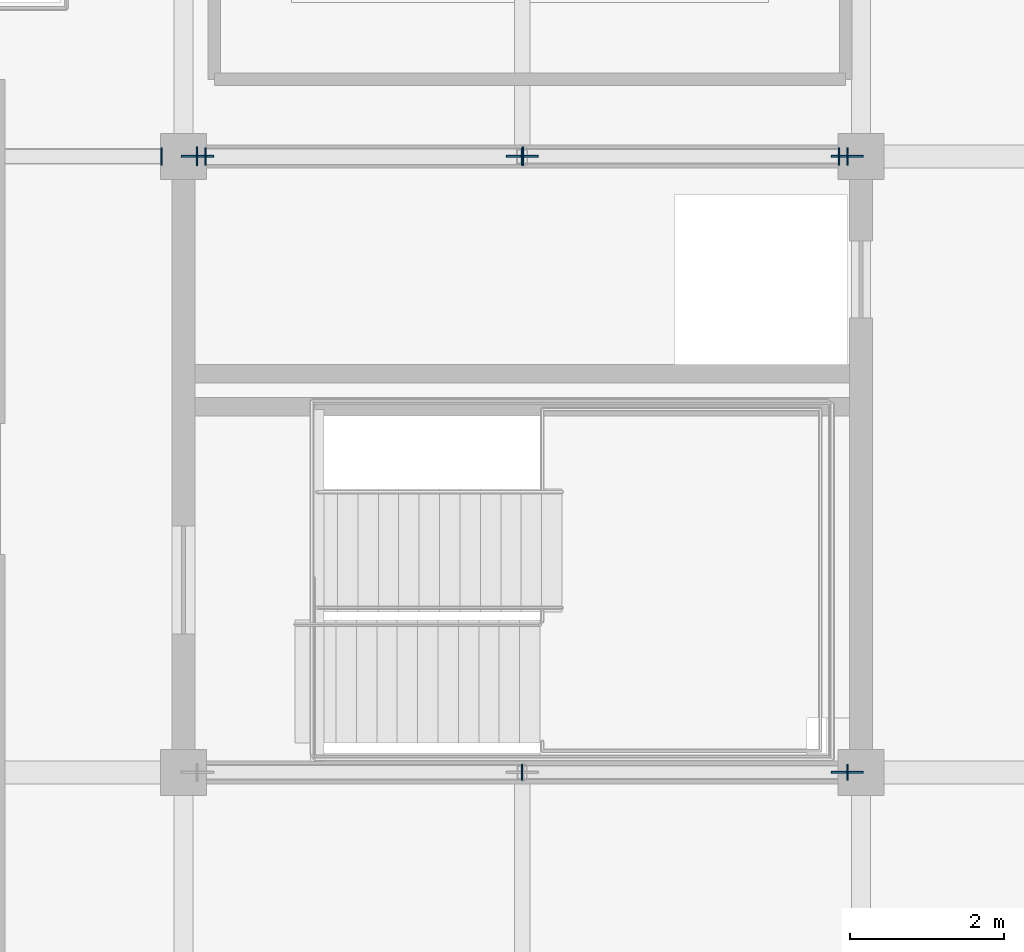
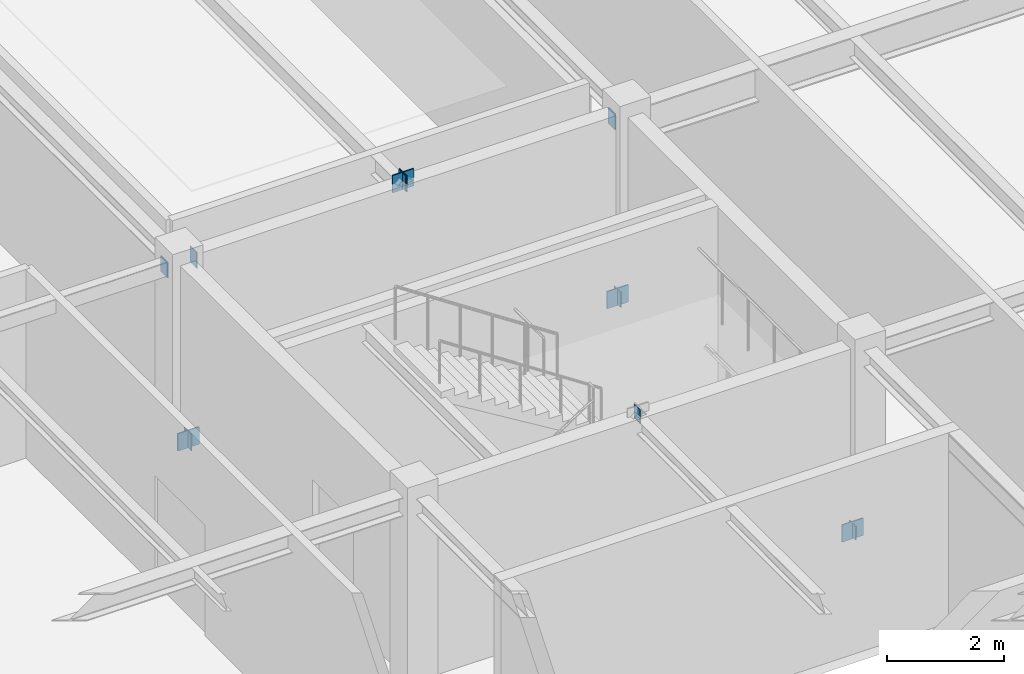
# One storey, part 61 of 88: 13 plates.
"""IFC4 building model written with IfcOpenShell, lengths in metres."""

import ifcopenshell
import ifcopenshell.guid

model = None  # the IFC model being written
_history = None  # IfcOwnerHistory: only IFC2X3 demands one
_inside = {}  # id of a spatial element -> (the spatial element, [elements in it])
_under = {}  # id of a project, library or spatial element -> (it, [spatial elements below it])
_declared = {}  # id of a project -> (the project, [libraries it declares])
_typed = {}  # id of a type object -> (the type object, [elements of that type])
_made_of = {}  # id of a material, layer set ... -> (it, [elements and type objects made of it])


def new_model(schema):
    """Start an empty IFC model of exactly this schema.

    Asked for "IFC4X3", IfcOpenShell would pick the latest addendum, in which some entities
    have other attributes; the version numbers below select the first issue.
    IFC2X3 requires an IfcOwnerHistory on every rooted entity: one is made here for all.
    """
    global model, _history
    if schema == "IFC4X3":
        model = ifcopenshell.file(schema_version=(4, 3, 0, 0))
    else:
        model = ifcopenshell.file(schema=schema)
    _inside.clear()
    _under.clear()
    _declared.clear()
    _typed.clear()
    _made_of.clear()
    _history = None
    if model.schema == "IFC2X3":
        org = make("IfcOrganization", Name="unknown")
        user = make(
            "IfcPersonAndOrganization",
            ThePerson=make("IfcPerson", FamilyName="unknown"),
            TheOrganization=org,
        )
        app = make(
            "IfcApplication",
            ApplicationDeveloper=org,
            Version="unknown",
            ApplicationFullName="unknown",
            ApplicationIdentifier="unknown",
        )
        _history = make(
            "IfcOwnerHistory",
            OwningUser=user,
            OwningApplication=app,
            ChangeAction="ADDED",
            CreationDate=0,
        )
    return model


def make(cls, **values):
    """One entity of the class cls with the attributes given. An attribute that is None is left unset."""
    return model.create_entity(
        cls, **{name: value for name, value in values.items() if value is not None}
    )


def rooted(cls, **values):
    """An entity with a GlobalId (a new one), such as an element, a storey or a relation."""
    return make(cls, GlobalId=ifcopenshell.guid.new(), OwnerHistory=_history, **values)


def si_unit(unit_type, name, prefix=None):
    """IfcSIUnit, for example si_unit("LENGTHUNIT", "METRE", prefix="MILLI")."""
    return make("IfcSIUnit", UnitType=unit_type, Prefix=prefix, Name=name)


def assignment(units):
    """IfcUnitAssignment: the units of a project."""
    return None if units is None else make("IfcUnitAssignment", Units=units)


def point(xyz):
    """IfcCartesianPoint."""
    return None if xyz is None else make("IfcCartesianPoint", Coordinates=xyz)


def direction(xyz):
    """IfcDirection."""
    return None if xyz is None else make("IfcDirection", DirectionRatios=xyz)


def frame(location, z_axis=None, x_axis=None):
    """IfcAxis2Placement3D, a coordinate frame: its origin and axes. An axis left out is left unset."""
    return make(
        "IfcAxis2Placement3D",
        Location=point(location),
        Axis=direction(z_axis),
        RefDirection=direction(x_axis),
    )


def frame_2d(location, x_axis=None):
    """IfcAxis2Placement2D, a coordinate frame in the plane: its origin and x axis."""
    return make(
        "IfcAxis2Placement2D", Location=point(location), RefDirection=direction(x_axis)
    )


def origin():
    """The frame at (0, 0, 0) with its axes left unset."""
    return frame((0.0, 0.0, 0.0))


def origin_2d():
    """The frame at (0, 0) in the plane with its x axis left unset."""
    return frame_2d((0.0, 0.0))


def place(relative_to, where):
    """IfcLocalPlacement: puts the frame where relative to a parent placement (None: the world)."""
    return make(
        "IfcLocalPlacement", PlacementRelTo=relative_to, RelativePlacement=where
    )


def context(
    kind, dimensions, precision=None, world=None, true_north=None, identifier=None
):
    """IfcGeometricRepresentationContext, for example the 3D "Model" context."""
    return make(
        "IfcGeometricRepresentationContext",
        ContextIdentifier=identifier,
        ContextType=kind,
        CoordinateSpaceDimension=dimensions,
        Precision=precision,
        WorldCoordinateSystem=world,
        TrueNorth=true_north,
    )


def subcontext(parent, identifier, kind, view, scale=None):
    """IfcGeometricRepresentationSubContext, for example "Body" below "Model"."""
    return make(
        "IfcGeometricRepresentationSubContext",
        ContextIdentifier=identifier,
        ContextType=kind,
        ParentContext=parent,
        TargetScale=scale,
        TargetView=view,
    )


def project(units=None, contexts=None):
    """IfcProject with its units and contexts."""
    return rooted(
        "IfcProject",
        Name="project",
        RepresentationContexts=contexts,
        UnitsInContext=assignment(units),
    )


def spatial(cls, under=None, at=None, **own):
    """A site, building, storey or space (cls), placed at a placement, below another one or the project."""
    s = rooted(cls, ObjectPlacement=at, **own)
    if under is not None:
        _under.setdefault(under.id(), (under, []))[1].append(s)
    return s


def profile(cls, at=None, kind="AREA", **sizes):
    """A parametric profile (cls). Its sizes go by their IFC names, for example OverallWidth=200.0."""
    return make(cls, ProfileType=kind, Position=at, **sizes)


def rectangle(**sizes):
    """IfcRectangleProfileDef."""
    return profile("IfcRectangleProfileDef", **sizes)


def extrude(swept, where, along, depth):
    """IfcExtrudedAreaSolid: the profile swept, set in the frame where, extruded along a direction by depth."""
    return make(
        "IfcExtrudedAreaSolid",
        SweptArea=swept,
        Position=where,
        ExtrudedDirection=direction(along),
        Depth=depth,
    )


def shape(context_of_items, identifier, shape_type, items):
    """IfcShapeRepresentation: the items that make up one representation, for example the "Body"."""
    return make(
        "IfcShapeRepresentation",
        ContextOfItems=context_of_items,
        RepresentationIdentifier=identifier,
        RepresentationType=shape_type,
        Items=items,
    )


def material(Name=None, Category=None):
    """IfcMaterial."""
    return make("IfcMaterial", Name=Name, Category=Category)


def layer(
    of_material, thickness, ventilated=None, Name=None, Category=None, Priority=None
):
    """IfcMaterialLayer: one layer of a wall or slab, of a material (None: an air gap)."""
    return make(
        "IfcMaterialLayer",
        Material=of_material,
        LayerThickness=thickness,
        IsVentilated=ventilated,
        Name=Name,
        Category=Category,
        Priority=Priority,
    )


def layer_set(layers, Name=None):
    """IfcMaterialLayerSet."""
    return make("IfcMaterialLayerSet", MaterialLayers=layers, LayerSetName=Name)


def made_of(thing, what):
    """Note that an element or type object is made of a material, layer set ...; save() writes the relation."""
    if what is not None:
        _made_of.setdefault(what.id(), (what, []))[1].append(thing)
    return thing


def type_object(cls, material=None, **own):
    """A type object (cls), such as IfcWallType, which elements share."""
    return made_of(rooted(cls, **own), material)


def element(
    cls,
    number,
    at=None,
    inside=None,
    cuts=None,
    type_object=None,
    material=None,
    context=None,
    identifier="Body",
    shape_type=None,
    held_by="IfcProductDefinitionShape",
    body=None,
    shapes=None,
    **own,
):
    """One element of the class cls, such as IfcWall. Its Tag is "e" and its number.

    at: its placement. inside: the storey or other place that contains it. cuts: it is an
    opening in that element (IfcRelVoidsElement). A single representation is given by context,
    identifier, shape_type and body (its items); several are given by shapes. held_by: the class
    of the entity that holds the representations. save() writes the other relations.
    """
    e = rooted(cls, Tag="e%d" % number, ObjectPlacement=at, **own)
    if body is not None:
        shapes = [shape(context, identifier, shape_type, body)]
    if shapes is not None:
        e.Representation = make(held_by, Representations=shapes)
    if inside is not None:
        _inside.setdefault(inside.id(), (inside, []))[1].append(e)
    if cuts is not None:
        rooted(
            "IfcRelVoidsElement", RelatingBuildingElement=cuts, RelatedOpeningElement=e
        )
    if type_object is not None:
        _typed.setdefault(type_object.id(), (type_object, []))[1].append(e)
    return made_of(e, material)


def aggregate(whole, parts):
    """IfcRelAggregates: a whole, such as a stair, and the parts it consists of."""
    return rooted("IfcRelAggregates", RelatingObject=whole, RelatedObjects=parts)


def save(model, path):
    """Write the relations noted so far, then the file.

    IfcRelAggregates (storeys below a building ...), IfcRelContainedInSpatialStructure (elements
    in a storey), IfcRelDefinesByType, IfcRelAssociatesMaterial and IfcRelDeclares: one each for
    every whole, place, type object, material and project.
    """
    for whole, parts in _under.values():
        aggregate(whole, parts)
    for where, things in _inside.values():
        rooted(
            "IfcRelContainedInSpatialStructure",
            RelatedElements=things,
            RelatingStructure=where,
        )
    for kind, things in _typed.values():
        rooted("IfcRelDefinesByType", RelatedObjects=things, RelatingType=kind)
    for what, things in _made_of.values():
        rooted("IfcRelAssociatesMaterial", RelatedObjects=things, RelatingMaterial=what)
    for by, libraries in _declared.values():
        rooted("IfcRelDeclares", RelatingContext=by, RelatedDefinitions=libraries)
    model.write(path)


model = new_model("IFC4")

# Units and contexts
model_context = context("Model", 3, precision=1e-05, world=origin(), true_north=direction((0.0, 1.0)))
body_context = subcontext(model_context, "Body", "Model", "MODEL_VIEW")
ifc_project = project(units=[si_unit("LENGTHUNIT", "METRE"), si_unit("AREAUNIT", "SQUARE_METRE"), si_unit("VOLUMEUNIT", "CUBIC_METRE"), si_unit("PLANEANGLEUNIT", "RADIAN"), si_unit("MASSUNIT", "GRAM", prefix="KILO")], contexts=[model_context])

# Site, building, storey
site_placement = place(None, origin())
site = spatial("IfcSite", under=ifc_project, at=site_placement, CompositionType="ELEMENT")
building_placement = place(site_placement, origin())
building = spatial("IfcBuilding", under=site, at=building_placement, Name="Zhaolan Boulevard Law Courts", CompositionType="ELEMENT")
storey_placement = place(building_placement, frame((0.0, 0.0, 16.199951171875)))
storey = spatial("IfcBuildingStorey", under=building, at=storey_placement, Name="L03", CompositionType="ELEMENT", Elevation=16.199951171875)

# Plates
ifc_material_1 = material(Name="Structural steel Q355B", Category="steel")
ifc_layer_1 = layer(ifc_material_1, 0.02392578125)
ifc_layer_set_1 = layer_set([ifc_layer_1])
plate_type_1 = type_object("IfcPlateType", Name="BRACE GUSSET PLATE 24", PredefinedType="SHEET", material=ifc_layer_set_1)
for number, where, z_axis, x_axis, name in (
    (1, (17.780029296875, 94.0, -0.14990234375), (0.0, 0.0, 1.0), (1.0, 0.0, 0.0), "Brace Gusset Connection Plate GP-L1-L03-NA1"),
    (2, (26.219970703125, 94.0, -0.14990234375), (0.0, 0.0, 1.0), (1.0, 0.0, 0.0), "Brace Gusset Connection Plate GP-L1-L03-NA2"),
    (3, (22.0, 94.0, 3.740234375), (0.0, 0.0, 1.0), (1.0, 0.0, 0.0), "Brace Gusset Connection Plate GP-L1-L03-NAPX"),
    (4, (26.219970703125, 86.0, -0.14990234375), (0.0, 0.0, 1.0), (1.0, 0.0, 0.0), "Brace Gusset Connection Plate GP-L1-L03-SA2"),
):
    element("IfcPlate", number, at=place(storey_placement, frame(where, z_axis=z_axis, x_axis=x_axis)), inside=storey, type_object=plate_type_1, Name=name, PredefinedType="SHEET", context=body_context, shape_type="SweptSolid", body=[
        extrude(rectangle(XDim=0.419921875, YDim=0.02392578125, at=origin_2d()), origin(), (0.0, 0.0, 1.0), 0.360107421875),
    ])
ifc_material_2 = material(Name="Structural steel Q355B", Category="steel")
ifc_layer_2 = layer(ifc_material_2, 0.02001953125)
ifc_layer_set_2 = layer_set([ifc_layer_2])
plate_type_2 = type_object("IfcPlateType", Name="END CAP PLATE 20", PredefinedType="SHEET", material=ifc_layer_set_2)
for number, where, z_axis, x_axis, name in (
    (5, (17.31201171875, 94.0, 3.60302734375), (0.0, 0.0, 1.0), (1.0, 0.0, 0.0), "Hollow Section End-Cap Plate ECP-0938"),
    (6, (17.887939453125, 94.0, 3.60302734375), (0.0, 0.0, 1.0), (1.0, 0.0, 0.0), "Hollow Section End-Cap Plate ECP-0939"),
    (7, (26.112060546875, 94.0, 3.60302734375), (0.0, 0.0, 1.0), (1.0, 0.0, 0.0), "Hollow Section End-Cap Plate ECP-0940"),
):
    element("IfcPlate", number, at=place(storey_placement, frame(where, z_axis=z_axis, x_axis=x_axis)), inside=storey, type_object=plate_type_2, Name=name, PredefinedType="SHEET", context=body_context, shape_type="SweptSolid", body=[
        extrude(rectangle(XDim=0.02001953125, YDim=0.22998046875, at=origin_2d()), origin(), (0.0, 0.0, 1.0), 0.330078125),
    ])
for number, where, z_axis, x_axis, name in (
    (8, (17.774169921875, 94.0, -0.1455078125), (0.0, 0.0, 1.0), (1.0, 0.0, 0.0), "Hollow Section End-Cap Plate ECP-1367"),
    (9, (22.005859375, 94.0, 3.75537109375), (0.0, 0.0, 1.0), (1.0, 0.0, 0.0), "Hollow Section End-Cap Plate ECP-1368"),
):
    element("IfcPlate", number, at=place(storey_placement, frame(where, z_axis=z_axis, x_axis=x_axis)), inside=storey, type_object=plate_type_2, Name=name, PredefinedType="SHEET", context=body_context, shape_type="SweptSolid", body=[
        extrude(rectangle(XDim=0.02001953125, YDim=0.25, at=origin_2d()), origin(), (0.0, 0.0, 1.0), 0.340087890625),
    ])
for number, where, z_axis, x_axis, name in (
    (10, (26.225830078125, 94.0, -0.1318359375), (0.0, 0.0, 1.0), (-1.0, 0.0, 0.0), "Hollow Section End-Cap Plate ECP-1369"),
    (11, (21.994140625, 94.0, 3.76904296875), (0.0, 0.0, 1.0), (-1.0, 0.0, 0.0), "Hollow Section End-Cap Plate ECP-1370"),
):
    element("IfcPlate", number, at=place(storey_placement, frame(where, z_axis=z_axis, x_axis=x_axis)), inside=storey, type_object=plate_type_2, Name=name, PredefinedType="SHEET", context=body_context, shape_type="SweptSolid", body=[
        extrude(rectangle(XDim=0.02001953125, YDim=0.22998046875, at=origin_2d()), origin(), (0.0, 0.0, 1.0), 0.31298828125),
    ])
for number, where, z_axis, x_axis, name in (
    (12, (26.225830078125, 86.0, -0.1181640625), (0.0, 0.0, 1.0), (-1.0, 0.0, 0.0), "Hollow Section End-Cap Plate ECP-1373"),
    (13, (21.994140625, 86.0, 3.78271484375), (0.0, 0.0, 1.0), (-1.0, 0.0, 0.0), "Hollow Section End-Cap Plate ECP-1374"),
):
    element("IfcPlate", number, at=place(storey_placement, frame(where, z_axis=z_axis, x_axis=x_axis)), inside=storey, type_object=plate_type_2, Name=name, PredefinedType="SHEET", context=body_context, shape_type="SweptSolid", body=[
        extrude(rectangle(XDim=0.02001953125, YDim=0.2099609375, at=origin_2d()), origin(), (0.0, 0.0, 1.0), 0.285888671875),
    ])

save(model, "model.ifc")
